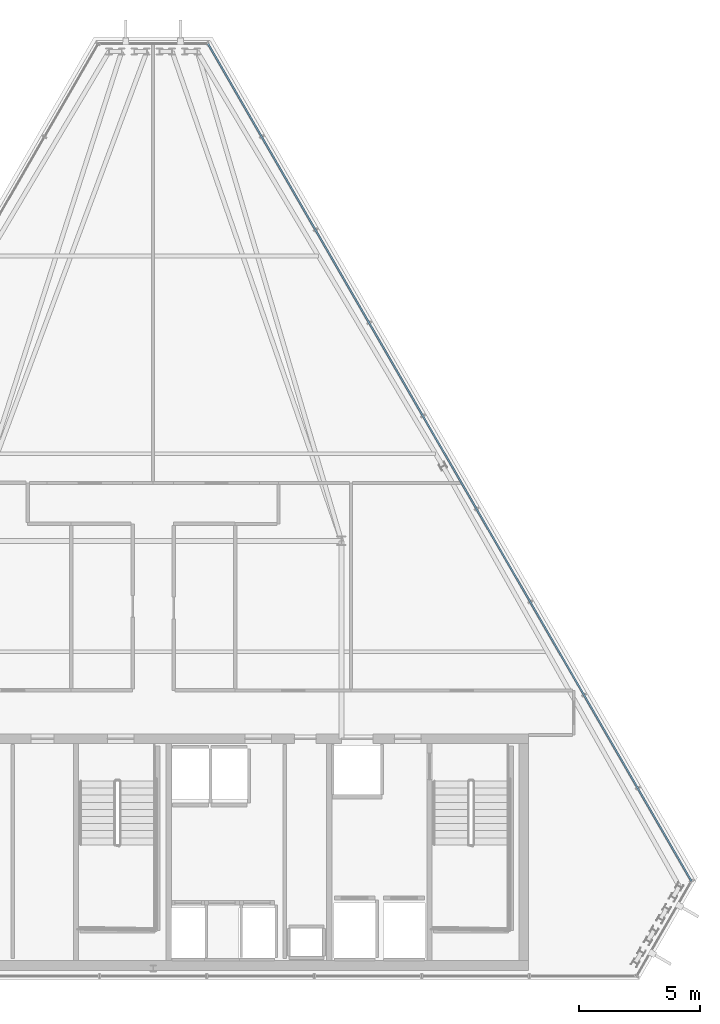
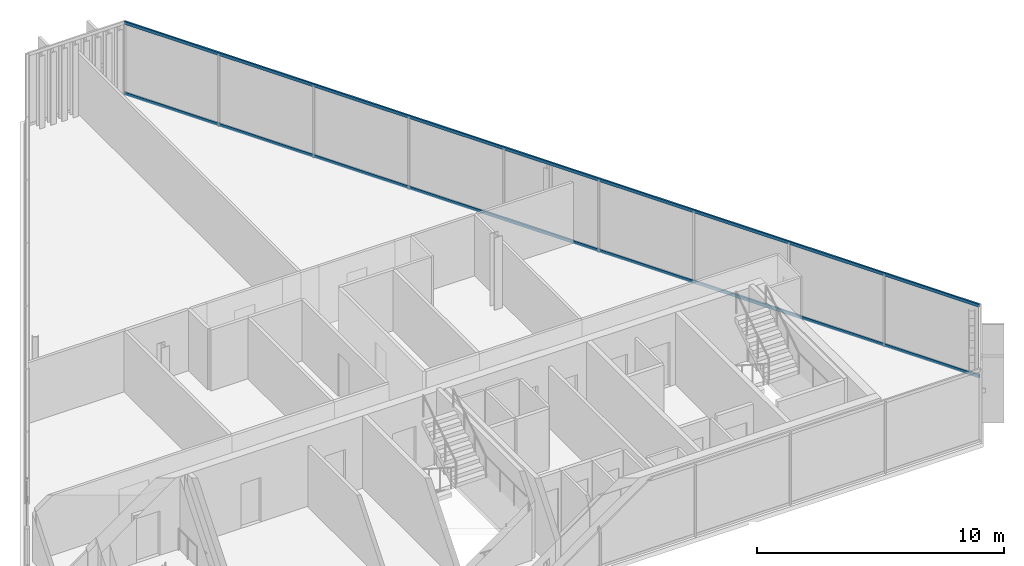
# One storey, part 23 of 32: 2 members, 1 element without a shape of its own.
"""IFC4 building model written with IfcOpenShell, lengths in metres."""

from ifc_helpers import new_model, si_unit, direction, frame, origin, origin_2d, place, context, subcontext, project, spatial, hollow_rectangle, extrude, material, layer, layer_set, material_profile, profile_set, type_object, element, aggregate, save


model = new_model("IFC4")

# Units and contexts
model_context = context("Model", 3, precision=1e-05, world=origin(), true_north=direction((0.0, 1.0)))
body_context = subcontext(model_context, "Body", "Model", "MODEL_VIEW")
ifc_project = project(units=[si_unit("LENGTHUNIT", "METRE"), si_unit("AREAUNIT", "SQUARE_METRE"), si_unit("VOLUMEUNIT", "CUBIC_METRE"), si_unit("PLANEANGLEUNIT", "RADIAN"), si_unit("MASSUNIT", "GRAM", prefix="KILO")], contexts=[model_context])

# Site, building, storey
site_placement = place(None, origin())
site = spatial("IfcSite", under=ifc_project, at=site_placement, CompositionType="ELEMENT")
building_placement = place(site_placement, origin())
building = spatial("IfcBuilding", under=site, at=building_placement, Name="Ndaravel Arena Tower", CompositionType="ELEMENT")
storey_placement = place(building_placement, frame((0.0, 0.0, 283.300048828125)))
storey = spatial("IfcBuildingStorey", under=building, at=storey_placement, Name="L69", CompositionType="ELEMENT", Elevation=283.300048828125)

# Curtain wall, members
ifc_material_1 = material(Name="Aluminium", Category="aluminium")
ifc_layer = layer(ifc_material_1, 0.179931640625)
ifc_layer_set = layer_set([ifc_layer], Name="Aluminium")
curtain_wall_type = type_object("IfcCurtainWallType", Name="CW-SYS-03", PredefinedType="NOTDEFINED", material=ifc_layer_set)
curtain_wall_placement = place(storey_placement, origin())
curtain_wall = element("IfcCurtainWall", 1, at=curtain_wall_placement, inside=storey, type_object=curtain_wall_type, Name="L69 Faceted Crystal Curtain Wall CW-L69-E03", PredefinedType="NOTDEFINED")
ifc_material_2 = material(Name="Aluminium", Category="aluminium")
ifc_material_profile = material_profile(ifc_material_2, hollow_rectangle(XDim=0.074951171875, YDim=0.14990234375, WallThickness=0.00390625, at=origin_2d()), Name="CW TRANSOM 75x150x4")
ifc_profile_set = profile_set([ifc_material_profile], Name="Aluminium")
member_type = type_object("IfcMemberType", Name="MEM-CW-TRN150", PredefinedType="USERDEFINED", material=ifc_profile_set)
member_1_placement = place(storey_placement, frame((64.307373046875, 9.095947265625, 0.0400390625), z_axis=(-0.499998114738, 0.866026492238, 0.0), x_axis=(-0.866026492238, -0.499998114738, 0.0)))
member_1 = element("IfcMember", 2, at=member_1_placement, type_object=member_type, Name="CW-L69-E03 Transom 01", ObjectType="TRANSOM", PredefinedType="USERDEFINED", context=body_context, shape_type="SweptSolid", body=[
    extrude(hollow_rectangle(XDim=0.074951171875, YDim=0.14990234375, WallThickness=0.00390625, at=origin_2d()), origin(), (0.0, 0.0, 1.0), 40.070068359375),
])
member_2_placement = place(storey_placement, frame((64.307373046875, 9.095947265625, 3.5400390625), z_axis=(-0.499998114738, 0.866026492238, 0.0), x_axis=(-0.866026492238, -0.499998114738, 0.0)))
member_2 = element("IfcMember", 3, at=member_2_placement, type_object=member_type, Name="CW-L69-E03 Transom 02", ObjectType="TRANSOM", PredefinedType="USERDEFINED", context=body_context, shape_type="SweptSolid", body=[
    extrude(hollow_rectangle(XDim=0.074951171875, YDim=0.14990234375, WallThickness=0.00390625, at=origin_2d()), origin(), (0.0, 0.0, 1.0), 40.070068359375),
])
aggregate(curtain_wall, [member_1, member_2])

save(model, "model.ifc")
